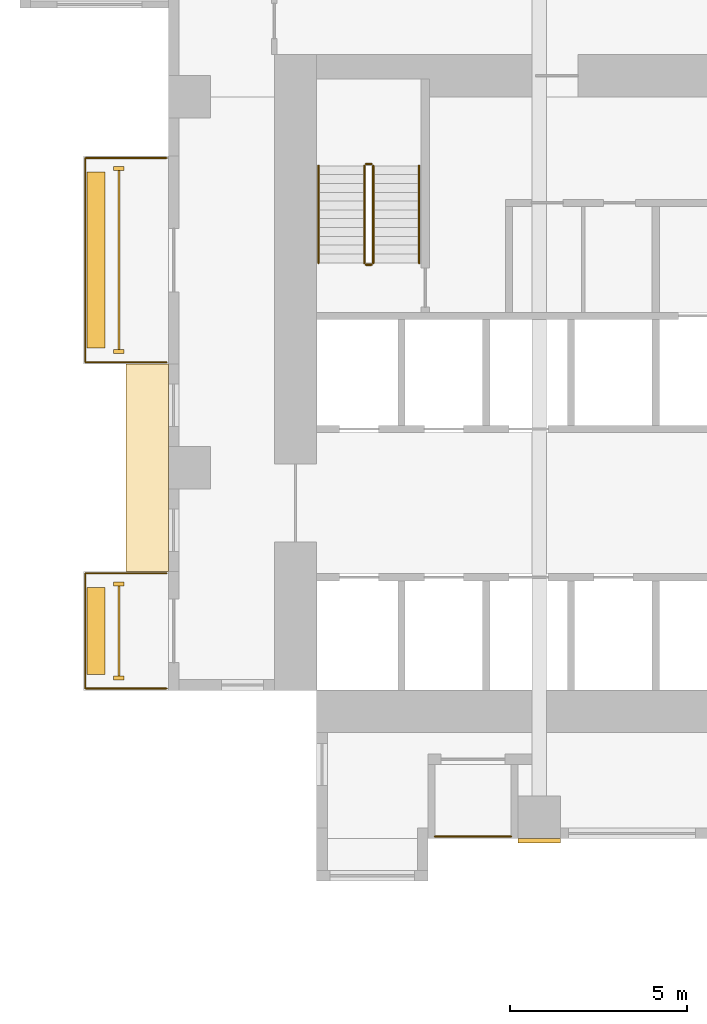
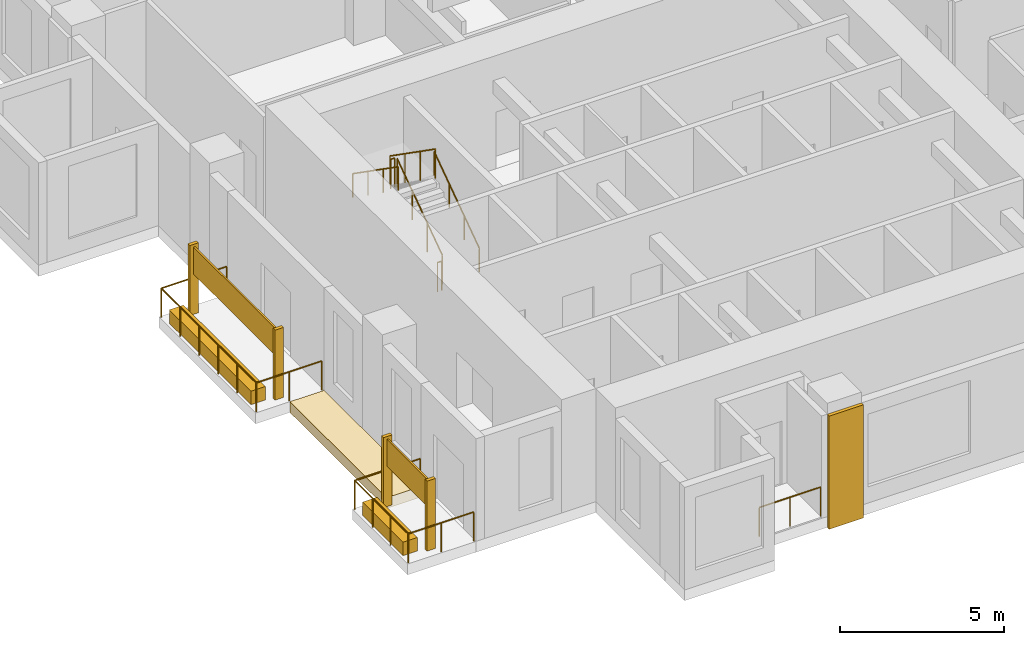
# One storey, part 11 of 14: 10 coverings, 9 railings.
"""IFC4 building model written with IfcOpenShell, lengths in metres."""

from ifc_helpers import new_model, si_unit, direction, frame, origin, origin_2d, place, context, subcontext, project, spatial, polyline, rectangle, circle, outline, extrude, source, transform, mapped, material, type_object, element, save


model = new_model("IFC4")

# Units and contexts
model_context = context("Model", 3, precision=1e-05, world=origin(), true_north=direction((0.0, 1.0)))
body_context = subcontext(model_context, "Body", "Model", "MODEL_VIEW")
ifc_project = project(units=[si_unit("LENGTHUNIT", "METRE"), si_unit("AREAUNIT", "SQUARE_METRE"), si_unit("VOLUMEUNIT", "CUBIC_METRE"), si_unit("PLANEANGLEUNIT", "RADIAN"), si_unit("MASSUNIT", "GRAM", prefix="KILO")], contexts=[model_context])

# Site, building, storey
site_placement = place(None, origin())
site = spatial("IfcSite", under=ifc_project, at=site_placement, CompositionType="ELEMENT")
building_placement = place(site_placement, origin())
building = spatial("IfcBuilding", under=site, at=building_placement, Name="Aurelian Terraces", CompositionType="ELEMENT")
storey_placement = place(building_placement, frame((0.0, 0.0, 57.3)))
storey = spatial("IfcBuildingStorey", under=building, at=storey_placement, Name="L11", CompositionType="ELEMENT", Elevation=57.3)

# Coverings
ifc_material_1 = material(Name="Terracotta roof tiles on membrane", Category="masonry")
covering_type_1 = type_object("IfcCoveringType", Name="Bay roof cover", PredefinedType="ROOFING", material=ifc_material_1)
covering_1_placement = place(storey_placement, frame((0.0, 0.0, -0.4)))
element("IfcCovering", 1, at=covering_1_placement, inside=storey, type_object=covering_type_1, Name="Bay roof L11 -1.20_7.56_0.00_13.44", PredefinedType="ROOFING", context=body_context, shape_type="SweptSolid", body=[
    extrude(outline(polyline([(0.0, 7.56), (-1.2, 7.56), (-1.2, 13.44), (0.0, 13.44), (0.0, 7.56)])), origin(), (0.0, 0.0, 1.0), 0.4),
])
ifc_material_2 = material(Name="Terracotta rainscreen cladding relief", Category="masonry")
covering_type_2 = type_object("IfcCoveringType", Name="FIN-TC", PredefinedType="CLADDING", material=ifc_material_2)
shared_shape_1 = source(origin(), body_context, "Body", "SweptSolid", [
    extrude(rectangle(XDim=0.3, YDim=0.12, at=origin_2d()), origin(), (0.0, 0.0, 1.0), 2.6),
])
for number, where, z_axis, x_axis, name in (
    (2, (-1.4, 18.97, 0.0), (0.0, 0.0, 1.0), (1.0, 0.0, 0.0), "FIN L11 L11-F18-40.1"),
    (3, (-1.4, 13.79, 0.0), (0.0, 0.0, 1.0), (1.0, 0.0, 0.0), "FIN L11 L11-F18-40.2"),
    (4, (-1.4, 7.21, 0.0), (0.0, 0.0, 1.0), (1.0, 0.0, 0.0), "FIN L11 L11-F18-42.1"),
    (5, (-1.4, 4.55, 0.0), (0.0, 0.0, 1.0), (1.0, 0.0, 0.0), "FIN L11 L11-F18-42.2"),
):
    element("IfcCovering", number, at=place(storey_placement, frame(where, z_axis=z_axis, x_axis=x_axis)), inside=storey, type_object=covering_type_2, Name=name, PredefinedType="CLADDING", context=body_context, shape_type="MappedRepresentation", body=[
        mapped(shared_shape_1, transform((0.0, 0.0, 0.0), scale=1.0)),
    ])
covering_type_3 = type_object("IfcCoveringType", Name="BAGUETTE-TC", PredefinedType="CLADDING", material=ifc_material_2)
shared_shape_2 = source(origin(), body_context, "Body", "SweptSolid", [
    extrude(rectangle(XDim=1.2, YDim=0.12, at=origin_2d()), origin(), (0.0, 0.0, 1.0), 4.2),
])
covering_2_placement = place(storey_placement, frame((10.5, -0.06, -0.4), z_axis=(0.0, 0.0, 1.0), x_axis=(1.0, 0.0, 0.0)))
element("IfcCovering", 6, at=covering_2_placement, inside=storey, type_object=covering_type_3, Name="BAGUETTE pier L11 1", PredefinedType="CLADDING", context=body_context, shape_type="MappedRepresentation", body=[
    mapped(shared_shape_2, transform((0.0, 0.0, 0.0), scale=1.0)),
])

# Railing
ifc_material_3 = material(Name="Anodised aluminium", Category="aluminium")
railing_type_1 = type_object("IfcRailingType", Name="GUARD-1100", PredefinedType="GUARDRAIL", material=ifc_material_3)
shared_shape_3 = source(origin(), body_context, "Body", "SweptSolid", [
    extrude(circle(Radius=0.024, at=origin_2d()), frame((0.0, 0.0, 1.076), z_axis=(-1.0, 0.0, 0.0), x_axis=(0.0, -1.0, 0.0)), (0.0, 0.0, 1.0), 2.3),
    extrude(circle(Radius=0.024, at=origin_2d()), frame((-2.3, 0.0, 1.076), z_axis=(0.0, -1.0, 0.0), x_axis=(1.0, 0.0, 0.0)), (0.0, 0.0, 1.0), 5.78),
    extrude(circle(Radius=0.024, at=origin_2d()), frame((-2.3, -5.78, 1.076), z_axis=(1.0, 0.0, 0.0), x_axis=(0.0, 1.0, 0.0)), (0.0, 0.0, 1.0), 2.3),
    extrude(circle(Radius=0.021, at=origin_2d()), origin(), (0.0, 0.0, 1.0), 1.052),
    extrude(circle(Radius=0.021, at=origin_2d()), frame((-1.15, 0.0, 0.0)), (0.0, 0.0, 1.0), 1.052),
    extrude(circle(Radius=0.021, at=origin_2d()), frame((-2.3, 0.0, 0.0)), (0.0, 0.0, 1.0), 1.052),
    extrude(circle(Radius=0.021, at=origin_2d()), frame((-2.3, -1.156, 0.0)), (0.0, 0.0, 1.0), 1.052),
    extrude(circle(Radius=0.021, at=origin_2d()), frame((-2.3, -2.312, 0.0)), (0.0, 0.0, 1.0), 1.052),
    extrude(circle(Radius=0.021, at=origin_2d()), frame((-2.3, -3.468, 0.0)), (0.0, 0.0, 1.0), 1.052),
    extrude(circle(Radius=0.021, at=origin_2d()), frame((-2.3, -4.624, 0.0)), (0.0, 0.0, 1.0), 1.052),
    extrude(circle(Radius=0.021, at=origin_2d()), frame((-2.3, -5.78, 0.0)), (0.0, 0.0, 1.0), 1.052),
    extrude(circle(Radius=0.021, at=origin_2d()), frame((-1.15, -5.78, 0.0)), (0.0, 0.0, 1.0), 1.052),
    extrude(circle(Radius=0.021, at=origin_2d()), frame((0.0, -5.78, 0.0)), (0.0, 0.0, 1.0), 1.052),
])
railing_1_placement = place(storey_placement, frame((-0.05, 19.27, 0.0)))
element("IfcRailing", 7, at=railing_1_placement, inside=storey, type_object=railing_type_1, Name="Balcony guard L11 F18.40", PredefinedType="GUARDRAIL", context=body_context, shape_type="MappedRepresentation", body=[
    mapped(shared_shape_3, transform((0.0, 0.0, 0.0), scale=1.0)),
])

# Coverings
ifc_material_4 = material(Name="Terracotta planter with planting soil", Category="masonry")
covering_type_4 = type_object("IfcCoveringType", Name="PLANTER-TROUGH", PredefinedType="USERDEFINED", material=ifc_material_4)
shared_shape_4 = source(origin(), body_context, "Body", "SweptSolid", [
    extrude(rectangle(XDim=0.5, YDim=4.98, at=origin_2d()), origin(), (0.0, 0.0, 1.0), 0.5),
])
covering_3_placement = place(storey_placement, frame((-2.05, 16.38, 0.0), z_axis=(0.0, 0.0, 1.0), x_axis=(1.0, 0.0, 0.0)))
element("IfcCovering", 8, at=covering_3_placement, inside=storey, type_object=covering_type_4, Name="PLANTER L11 L11-F18-40", ObjectType="PLANTER", PredefinedType="USERDEFINED", context=body_context, shape_type="MappedRepresentation", body=[
    mapped(shared_shape_4, transform((0.0, 0.0, 0.0), scale=1.0)),
])
ifc_material_5 = material(Name="Terracotta rainscreen cladding", Category="masonry")
covering_type_5 = type_object("IfcCoveringType", Name="SCREEN-TC", PredefinedType="CLADDING", material=ifc_material_5)
shared_shape_5 = source(origin(), body_context, "Body", "SweptSolid", [
    extrude(rectangle(XDim=0.06, YDim=5.06, at=origin_2d()), origin(), (0.0, 0.0, 1.0), 1.0),
])
covering_4_placement = place(storey_placement, frame((-1.4, 16.38, 1.5), z_axis=(0.0, 0.0, 1.0), x_axis=(1.0, 0.0, 0.0)))
element("IfcCovering", 9, at=covering_4_placement, inside=storey, type_object=covering_type_5, Name="SCREEN L11 L11-F18-40", PredefinedType="CLADDING", context=body_context, shape_type="MappedRepresentation", body=[
    mapped(shared_shape_5, transform((0.0, 0.0, 0.0), scale=1.0)),
])

# Railing
shared_shape_6 = source(origin(), body_context, "Body", "SweptSolid", [
    extrude(circle(Radius=0.024, at=origin_2d()), frame((0.0, 0.0, 1.076), z_axis=(-1.0, 0.0, 0.0), x_axis=(0.0, -1.0, 0.0)), (0.0, 0.0, 1.0), 2.3),
    extrude(circle(Radius=0.024, at=origin_2d()), frame((-2.3, 0.0, 1.076), z_axis=(0.0, -1.0, 0.0), x_axis=(1.0, 0.0, 0.0)), (0.0, 0.0, 1.0), 3.26),
    extrude(circle(Radius=0.024, at=origin_2d()), frame((-2.3, -3.26, 1.076), z_axis=(1.0, 0.0, 0.0), x_axis=(0.0, 1.0, 0.0)), (0.0, 0.0, 1.0), 2.3),
    extrude(circle(Radius=0.021, at=origin_2d()), origin(), (0.0, 0.0, 1.0), 1.052),
    extrude(circle(Radius=0.021, at=origin_2d()), frame((-1.15, 0.0, 0.0)), (0.0, 0.0, 1.0), 1.052),
    extrude(circle(Radius=0.021, at=origin_2d()), frame((-2.3, 0.0, 0.0)), (0.0, 0.0, 1.0), 1.052),
    extrude(circle(Radius=0.021, at=origin_2d()), frame((-2.3, -1.0867, 0.0)), (0.0, 0.0, 1.0), 1.052),
    extrude(circle(Radius=0.021, at=origin_2d()), frame((-2.3, -2.1733, 0.0)), (0.0, 0.0, 1.0), 1.052),
    extrude(circle(Radius=0.021, at=origin_2d()), frame((-2.3, -3.26, 0.0)), (0.0, 0.0, 1.0), 1.052),
    extrude(circle(Radius=0.021, at=origin_2d()), frame((-1.15, -3.26, 0.0)), (0.0, 0.0, 1.0), 1.052),
    extrude(circle(Radius=0.021, at=origin_2d()), frame((0.0, -3.26, 0.0)), (0.0, 0.0, 1.0), 1.052),
])
railing_2_placement = place(storey_placement, frame((-0.05, 7.51, 0.0)))
element("IfcRailing", 10, at=railing_2_placement, inside=storey, type_object=railing_type_1, Name="Balcony guard L11 F18.42", PredefinedType="GUARDRAIL", context=body_context, shape_type="MappedRepresentation", body=[
    mapped(shared_shape_6, transform((0.0, 0.0, 0.0), scale=1.0)),
])

# Coverings
shared_shape_7 = source(origin(), body_context, "Body", "SweptSolid", [
    extrude(rectangle(XDim=0.5, YDim=2.46, at=origin_2d()), origin(), (0.0, 0.0, 1.0), 0.5),
])
covering_5_placement = place(storey_placement, frame((-2.05, 5.88, 0.0), z_axis=(0.0, 0.0, 1.0), x_axis=(1.0, 0.0, 0.0)))
element("IfcCovering", 11, at=covering_5_placement, inside=storey, type_object=covering_type_4, Name="PLANTER L11 L11-F18-42", ObjectType="PLANTER", PredefinedType="USERDEFINED", context=body_context, shape_type="MappedRepresentation", body=[
    mapped(shared_shape_7, transform((0.0, 0.0, 0.0), scale=1.0)),
])
shared_shape_8 = source(origin(), body_context, "Body", "SweptSolid", [
    extrude(rectangle(XDim=0.06, YDim=2.54, at=origin_2d()), origin(), (0.0, 0.0, 1.0), 1.0),
])
covering_6_placement = place(storey_placement, frame((-1.4, 5.88, 1.5), z_axis=(0.0, 0.0, 1.0), x_axis=(1.0, 0.0, 0.0)))
element("IfcCovering", 12, at=covering_6_placement, inside=storey, type_object=covering_type_5, Name="SCREEN L11 L11-F18-42", PredefinedType="CLADDING", context=body_context, shape_type="MappedRepresentation", body=[
    mapped(shared_shape_8, transform((0.0, 0.0, 0.0), scale=1.0)),
])

# Railings
shared_shape_9 = source(origin(), body_context, "Body", "SweptSolid", [
    extrude(circle(Radius=0.024, at=origin_2d()), frame((0.0, 0.0, 1.076), z_axis=(1.0, 0.0, 0.0), x_axis=(0.0, 1.0, 0.0)), (0.0, 0.0, 1.0), 2.15),
    extrude(circle(Radius=0.021, at=origin_2d()), origin(), (0.0, 0.0, 1.0), 1.052),
    extrude(circle(Radius=0.021, at=origin_2d()), frame((1.075, 0.0, 0.0)), (0.0, 0.0, 1.0), 1.052),
    extrude(circle(Radius=0.021, at=origin_2d()), frame((2.15, 0.0, 0.0)), (0.0, 0.0, 1.0), 1.052),
])
railing_3_placement = place(storey_placement, frame((7.55, 0.06, 0.05)))
element("IfcRailing", 13, at=railing_3_placement, inside=storey, type_object=railing_type_1, Name="Loggia guard L11 F01.2", PredefinedType="GUARDRAIL", context=body_context, shape_type="MappedRepresentation", body=[
    mapped(shared_shape_9, transform((0.0, 0.0, 0.0), scale=1.0)),
])
ifc_material_6 = material(Name="Stainless steel", Category="steel")
railing_type_2 = type_object("IfcRailingType", Name="Stair guard 1100", PredefinedType="GUARDRAIL", material=ifc_material_6)
shared_shape_10 = source(origin(), body_context, "Body", "SweptSolid", [
    extrude(circle(Radius=0.024, at=origin_2d()), frame((0.0, 0.0, 1.076), z_axis=(-1.0, 0.0, 0.0), x_axis=(0.0, -1.0, 0.0)), (0.0, 0.0, 1.0), 0.15),
    extrude(circle(Radius=0.021, at=origin_2d()), origin(), (0.0, 0.0, 1.0), 1.052),
    extrude(circle(Radius=0.021, at=origin_2d()), frame((-0.15, 0.0, 0.0)), (0.0, 0.0, 1.0), 1.052),
])
for number, where, name in (
    (14, (5.75, 19.1, 2.1), "L11 S1 stair guard 2"),
    (15, (5.75, 16.25, 0.0), "L11 S1 stair guard 4"),
):
    element("IfcRailing", number, at=place(storey_placement, frame(where)), inside=storey, type_object=railing_type_2, Name=name, PredefinedType="GUARDRAIL", context=body_context, shape_type="MappedRepresentation", body=[
        mapped(shared_shape_10, transform((0.0, 0.0, 0.0), scale=1.0)),
    ])
shared_shape_11 = source(origin(), body_context, "Body", "SweptSolid", [
    extrude(circle(Radius=0.024, at=origin_2d()), frame((0.0, 0.0, 1.076), z_axis=(0.0, 0.819231920519, 0.573462344363), x_axis=(-1.0, 0.0, 0.0)), (0.0, 0.0, 1.0), 3.3568),
    extrude(circle(Radius=0.021, at=origin_2d()), origin(), (0.0, 0.0, 1.0), 1.052),
    extrude(circle(Radius=0.021, at=origin_2d()), frame((0.0, 0.9167, 0.6417)), (0.0, 0.0, 1.0), 1.052),
    extrude(circle(Radius=0.021, at=origin_2d()), frame((0.0, 1.8333, 1.2833)), (0.0, 0.0, 1.0), 1.052),
    extrude(circle(Radius=0.021, at=origin_2d()), frame((0.0, 2.75, 1.925)), (0.0, 0.0, 1.0), 1.052),
])
railing_4_placement = place(storey_placement, frame((5.8, 16.3, 0.175)))
element("IfcRailing", 16, at=railing_4_placement, inside=storey, type_object=railing_type_2, Name="L11 S1 stair guard 1", PredefinedType="GUARDRAIL", context=body_context, shape_type="MappedRepresentation", body=[
    mapped(shared_shape_11, transform((0.0, 0.0, 0.0), scale=1.0)),
])
shared_shape_12 = source(origin(), body_context, "Body", "SweptSolid", [
    extrude(circle(Radius=0.024, at=origin_2d()), frame((0.0, 0.0, 1.076), z_axis=(0.0, -0.819231920519, 0.573462344363), x_axis=(1.0, 0.0, 0.0)), (0.0, 0.0, 1.0), 3.3568),
    extrude(circle(Radius=0.021, at=origin_2d()), origin(), (0.0, 0.0, 1.0), 1.052),
    extrude(circle(Radius=0.021, at=origin_2d()), frame((0.0, -0.9167, 0.6417)), (0.0, 0.0, 1.0), 1.052),
    extrude(circle(Radius=0.021, at=origin_2d()), frame((0.0, -1.8333, 1.2833)), (0.0, 0.0, 1.0), 1.052),
    extrude(circle(Radius=0.021, at=origin_2d()), frame((0.0, -2.75, 1.925)), (0.0, 0.0, 1.0), 1.052),
])
railing_5_placement = place(storey_placement, frame((5.55, 19.05, 2.275)))
element("IfcRailing", 17, at=railing_5_placement, inside=storey, type_object=railing_type_2, Name="L11 S1 stair guard 3", PredefinedType="GUARDRAIL", context=body_context, shape_type="MappedRepresentation", body=[
    mapped(shared_shape_12, transform((0.0, 0.0, 0.0), scale=1.0)),
])
railing_type_3 = type_object("IfcRailingType", Name="Stair handrail", PredefinedType="HANDRAIL", material=ifc_material_6)
shared_shape_13 = source(origin(), body_context, "Body", "SweptSolid", [
    extrude(circle(Radius=0.024, at=origin_2d()), frame((0.0, 0.0, 0.876), z_axis=(0.0, 0.819231920519, 0.573462344363), x_axis=(-1.0, 0.0, 0.0)), (0.0, 0.0, 1.0), 3.3568),
    extrude(circle(Radius=0.021, at=origin_2d()), origin(), (0.0, 0.0, 1.0), 0.852),
    extrude(circle(Radius=0.021, at=origin_2d()), frame((0.0, 0.9167, 0.6417)), (0.0, 0.0, 1.0), 0.852),
    extrude(circle(Radius=0.021, at=origin_2d()), frame((0.0, 1.8333, 1.2833)), (0.0, 0.0, 1.0), 0.852),
    extrude(circle(Radius=0.021, at=origin_2d()), frame((0.0, 2.75, 1.925)), (0.0, 0.0, 1.0), 0.852),
])
railing_6_placement = place(storey_placement, frame((7.1, 16.3, 0.175)))
element("IfcRailing", 18, at=railing_6_placement, inside=storey, type_object=railing_type_3, Name="L11 S1 stair handrail 1", PredefinedType="HANDRAIL", context=body_context, shape_type="MappedRepresentation", body=[
    mapped(shared_shape_13, transform((0.0, 0.0, 0.0), scale=1.0)),
])
shared_shape_14 = source(origin(), body_context, "Body", "SweptSolid", [
    extrude(circle(Radius=0.024, at=origin_2d()), frame((0.0, 0.0, 0.876), z_axis=(0.0, -0.819231920519, 0.573462344363), x_axis=(1.0, 0.0, 0.0)), (0.0, 0.0, 1.0), 3.3568),
    extrude(circle(Radius=0.021, at=origin_2d()), origin(), (0.0, 0.0, 1.0), 0.852),
    extrude(circle(Radius=0.021, at=origin_2d()), frame((0.0, -0.9167, 0.6417)), (0.0, 0.0, 1.0), 0.852),
    extrude(circle(Radius=0.021, at=origin_2d()), frame((0.0, -1.8333, 1.2833)), (0.0, 0.0, 1.0), 0.852),
    extrude(circle(Radius=0.021, at=origin_2d()), frame((0.0, -2.75, 1.925)), (0.0, 0.0, 1.0), 0.852),
])
railing_7_placement = place(storey_placement, frame((4.25, 19.05, 2.275)))
element("IfcRailing", 19, at=railing_7_placement, inside=storey, type_object=railing_type_3, Name="L11 S1 stair handrail 2", PredefinedType="HANDRAIL", context=body_context, shape_type="MappedRepresentation", body=[
    mapped(shared_shape_14, transform((0.0, 0.0, 0.0), scale=1.0)),
])

save(model, "model.ifc")
